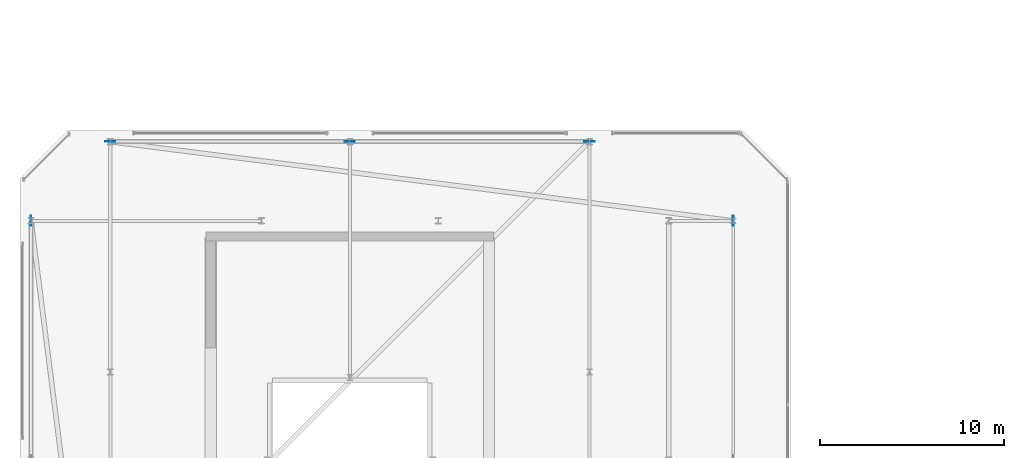
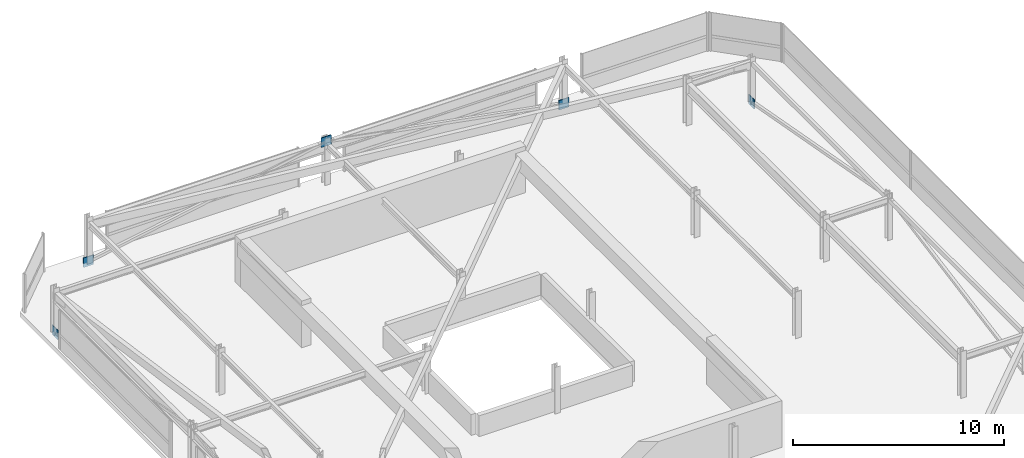
# One storey, part 42 of 44: 5 plates.
"""IFC4 building model written with IfcOpenShell, lengths in metres."""

from ifc_helpers import new_model, si_unit, direction, frame, origin, origin_2d, place, context, subcontext, project, spatial, rectangle, extrude, material, layer, layer_set, type_object, element, save


model = new_model("IFC4")

# Units and contexts
model_context = context("Model", 3, precision=1e-05, world=origin(), true_north=direction((0.0, 1.0)))
body_context = subcontext(model_context, "Body", "Model", "MODEL_VIEW")
ifc_project = project(units=[si_unit("LENGTHUNIT", "METRE"), si_unit("AREAUNIT", "SQUARE_METRE"), si_unit("VOLUMEUNIT", "CUBIC_METRE"), si_unit("PLANEANGLEUNIT", "RADIAN"), si_unit("MASSUNIT", "GRAM", prefix="KILO")], contexts=[model_context])

# Site, building, storey
site_placement = place(None, origin())
site = spatial("IfcSite", under=ifc_project, at=site_placement, CompositionType="ELEMENT")
building_placement = place(site_placement, origin())
building = spatial("IfcBuilding", under=site, at=building_placement, Name="Thornwick Lancets Civic Towers", CompositionType="ELEMENT")
storey_placement = place(building_placement, frame((0.0, 0.0, 294.89990234375)))
storey = spatial("IfcBuildingStorey", under=building, at=storey_placement, Name="C06", CompositionType="ELEMENT", Elevation=294.89990234375)

# Plates
ifc_material = material(Name="Steel S460M", Category="steel")
ifc_layer = layer(ifc_material, 0.0400390625, Name="Steel S460M")
ifc_layer_set = layer_set([ifc_layer], Name="Steel S460M")
plate_type = type_object("IfcPlateType", Name="PLT_GUSSET_40", PredefinedType="USERDEFINED", material=ifc_layer_set)
for number, where, z_axis, x_axis, name in (
    (1, (46.300048828125, 40.0, -0.22509765625), (0.0, 0.0, 1.0), (0.0, -1.0, 0.0), "C06 Brace Connection Gusset Plate 0562"),
    (2, (12.5, 44.300048828125, -0.22509765625), (0.0, 0.0, 1.0), (1.0, 0.0, 0.0), "C06 Brace Connection Gusset Plate 0563"),
    (3, (25.5, 44.300048828125, 2.1650390625), (0.0, 0.0, 1.0), (1.0, 0.0, 0.0), "C06 Brace Connection Gusset Plate 0564"),
    (4, (38.5, 44.300048828125, -0.22509765625), (0.0, 0.0, 1.0), (-1.0, 0.0, 0.0), "C06 Brace Connection Gusset Plate 0565"),
    (5, (8.199951171875, 40.0, -0.22509765625), (0.0, 0.0, 1.0), (0.0, -1.0, 0.0), "C06 Brace Connection Gusset Plate 0568"),
):
    element("IfcPlate", number, at=place(storey_placement, frame(where, z_axis=z_axis, x_axis=x_axis)), inside=storey, type_object=plate_type, Name=name, ObjectType="GUSSET_PLATE", PredefinedType="USERDEFINED", context=body_context, shape_type="SweptSolid", body=[
        extrude(rectangle(XDim=0.550048828125, YDim=0.0400390625, at=origin_2d()), origin(), (0.0, 0.0, 1.0), 0.550048828125),
    ])

save(model, "model.ifc")
